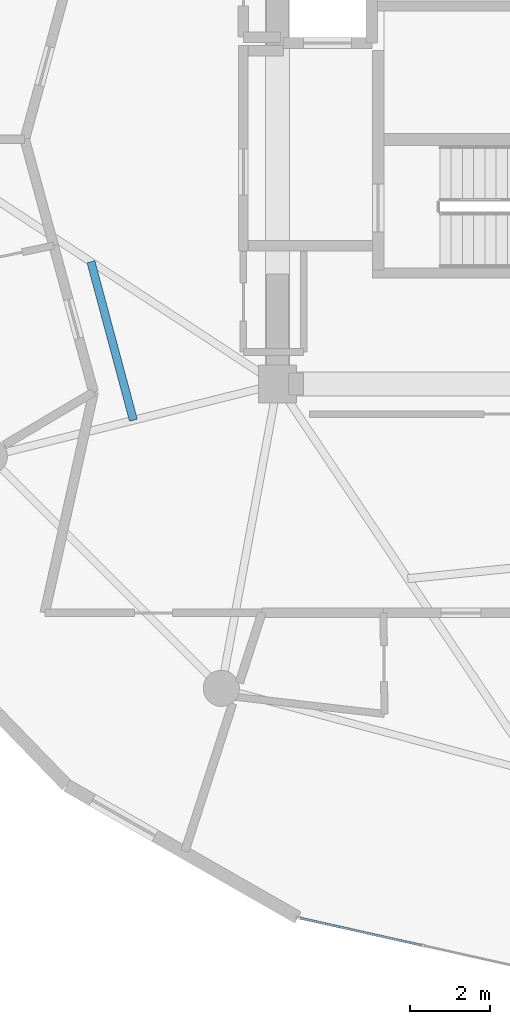
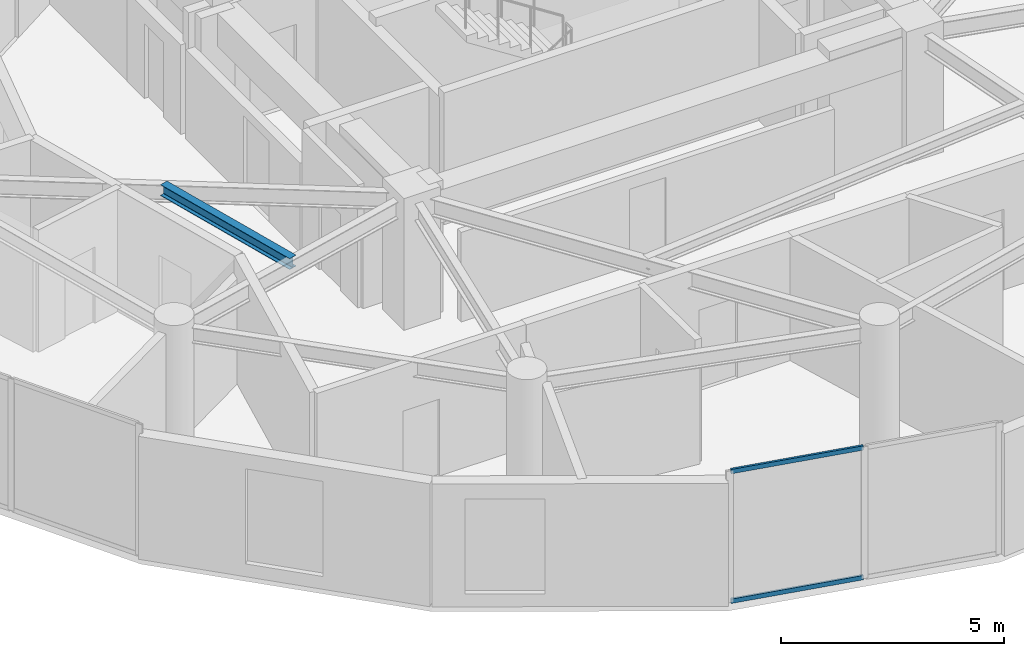
# One storey, part 4 of 23: 2 members, 1 beam, 1 element without a shape of its own.
"""IFC4 building model written with IfcOpenShell, lengths in metres."""

from ifc_helpers import new_model, si_unit, direction, frame, origin, origin_2d, place, context, subcontext, project, spatial, hollow_rectangle, i_section, extrude, source, transform, mapped, material, layer, layer_set, material_profile, profile_set, type_object, element, aggregate, save


model = new_model("IFC4")

# Units and contexts
model_context = context("Model", 3, precision=1e-05, world=origin(), true_north=direction((0.0, 1.0)))
body_context = subcontext(model_context, "Body", "Model", "MODEL_VIEW")
ifc_project = project(units=[si_unit("LENGTHUNIT", "METRE"), si_unit("AREAUNIT", "SQUARE_METRE"), si_unit("VOLUMEUNIT", "CUBIC_METRE"), si_unit("PLANEANGLEUNIT", "RADIAN"), si_unit("MASSUNIT", "GRAM", prefix="KILO")], contexts=[model_context])

# Site, building, storey
site_placement = place(None, origin())
site = spatial("IfcSite", under=ifc_project, at=site_placement, CompositionType="ELEMENT")
building_placement = place(site_placement, origin())
building = spatial("IfcBuilding", under=site, at=building_placement, Name="Solvirekh Grand Hotel", CompositionType="ELEMENT")
storey_placement = place(building_placement, frame((0.0, 0.0, 176.800048828125)))
storey = spatial("IfcBuildingStorey", under=building, at=storey_placement, Name="L45", CompositionType="ELEMENT", Elevation=176.800048828125)

# Beam
ifc_material_1 = material(Name="Steel S355", Category="steel")
ifc_material_profile_1 = material_profile(ifc_material_1, i_section(OverallWidth=0.202880859375, OverallDepth=0.302978515625, WebThickness=0.008056640625, FlangeThickness=0.012939453125, FilletRadius=0.010009765625, at=origin_2d()), Name="W310X60")
ifc_profile_set_1 = profile_set([ifc_material_profile_1], Name="Steel S355")
beam_type = type_object("IfcBeamType", Name="Joist_Floor_W310", PredefinedType="JOIST", material=ifc_profile_set_1)
beam_placement = place(storey_placement, frame((-11.14990234375, -3.050048828125, 3.2080078125), z_axis=(0.25892209236, -0.965898208968, 0.0), x_axis=(0.965898208968, 0.25892209236, 0.0)))
element("IfcBeam", 1, at=beam_placement, inside=storey, type_object=beam_type, Name="L45 secondary composite floor joist 7", PredefinedType="JOIST", context=body_context, shape_type="SweptSolid", body=[
    extrude(i_section(OverallWidth=0.202880859375, OverallDepth=0.302978515625, WebThickness=0.008056640625, FlangeThickness=0.012939453125, FilletRadius=0.010009765625, at=origin_2d()), origin(), (0.0, 0.0, 1.0), 4.08935546875),
])

# Curtain wall, members
ifc_material_2 = material(Name="Anodized Bronze Aluminium 6063-T6", Category="aluminium")
ifc_layer = layer(ifc_material_2, 0.159912109375)
ifc_layer_set = layer_set([ifc_layer], Name="Anodized Bronze Aluminium 6063-T6")
curtain_wall_type = type_object("IfcCurtainWallType", Name="CW_Sys4_HighZoneFlushBronzeCW", PredefinedType="NOTDEFINED", material=ifc_layer_set)
curtain_wall_placement = place(storey_placement, origin())
curtain_wall = element("IfcCurtainWall", 2, at=curtain_wall_placement, inside=storey, type_object=curtain_wall_type, Name="L45 unitised bronze-glass curtain wall CW-L45-C18", PredefinedType="NOTDEFINED")
ifc_material_profile_2 = material_profile(ifc_material_2, hollow_rectangle(XDim=0.054931640625, YDim=0.1201171875, WallThickness=0.00390625, at=origin_2d()), Name="ALU RHS 120X55X4")
ifc_profile_set_2 = profile_set([ifc_material_profile_2], Name="Anodized Bronze Aluminium 6063-T6")
member_type = type_object("IfcMemberType", Name="CWTransom_Sys4", PredefinedType="USERDEFINED", material=ifc_profile_set_2)
shared_shape = source(origin(), body_context, "Body", "SweptSolid", [
    extrude(hollow_rectangle(XDim=0.054931640625, YDim=0.1201171875, WallThickness=0.00390625, at=origin_2d()), origin(), (0.0, 0.0, 1.0), 3.1044921875),
])
member_1_placement = place(storey_placement, frame((-5.931396484375, -19.4111328125, 0.02734375), z_axis=(0.975845392385, -0.218462285442, 0.0), x_axis=(0.218462285442, 0.975845392385, 0.0)))
member_1 = element("IfcMember", 3, at=member_1_placement, type_object=member_type, Name="U04 transom 1.1", ObjectType="TRANSOM", PredefinedType="USERDEFINED", context=body_context, shape_type="MappedRepresentation", body=[
    mapped(shared_shape, transform((0.0, 0.0, 0.0), x_axis=(1.0, 0.0, 0.0), y_axis=(0.0, 1.0, 0.0), z_axis=(0.0, 0.0, 1.0), scale=1.0)),
])
member_2_placement = place(storey_placement, frame((-5.931396484375, -19.4111328125, 3.572509765625), z_axis=(0.975845392385, -0.218462285442, 0.0), x_axis=(0.218462285442, 0.975845392385, 0.0)))
member_2 = element("IfcMember", 4, at=member_2_placement, type_object=member_type, Name="U04 transom 1.2", ObjectType="TRANSOM", PredefinedType="USERDEFINED", context=body_context, shape_type="MappedRepresentation", body=[
    mapped(shared_shape, transform((0.0, 0.0, 0.0), x_axis=(1.0, 0.0, 0.0), y_axis=(0.0, 1.0, 0.0), z_axis=(0.0, 0.0, 1.0), scale=1.0)),
])
aggregate(curtain_wall, [member_1, member_2])

save(model, "model.ifc")
